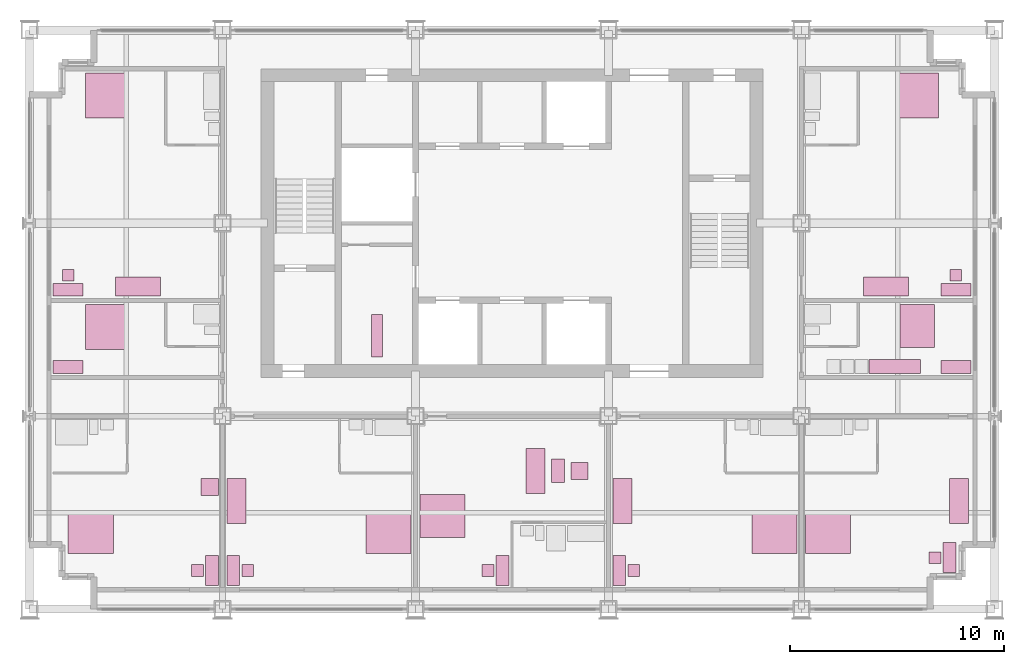
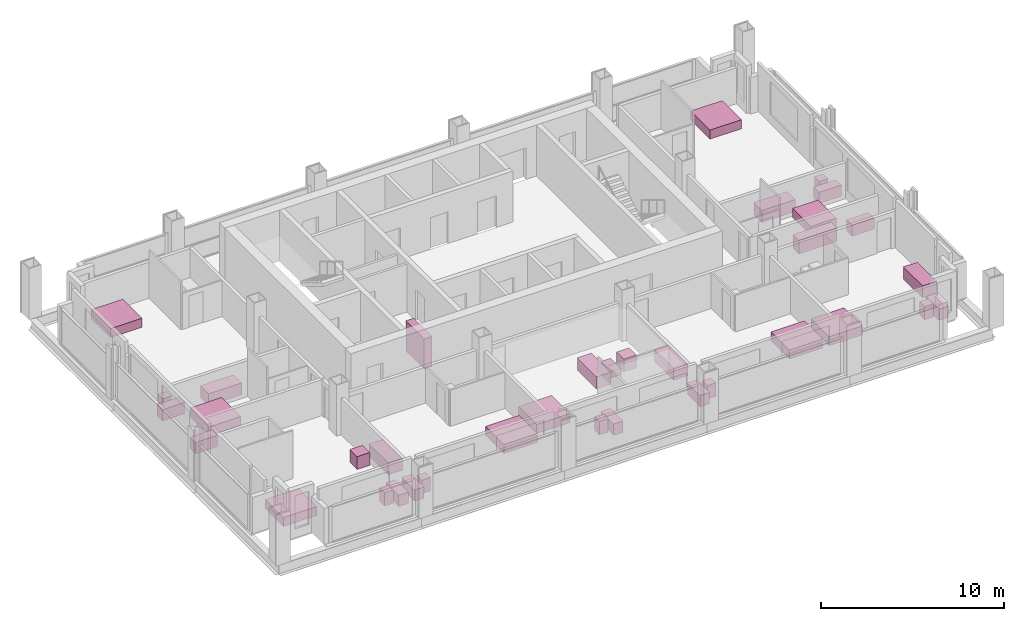
# One storey, part 13 of 13: 36 furniture elements.
"""IFC4 building model written with IfcOpenShell, lengths in metres."""

from ifc_helpers import new_model, si_unit, direction, frame, origin, origin_2d, place, context, subcontext, project, spatial, rectangle, extrude, element, save


model = new_model("IFC4")

# Units and contexts
model_context = context("Model", 3, precision=1e-05, world=origin(), true_north=direction((0.0, 1.0)))
body_context = subcontext(model_context, "Body", "Model", "MODEL_VIEW")
ifc_project = project(units=[si_unit("LENGTHUNIT", "METRE"), si_unit("AREAUNIT", "SQUARE_METRE"), si_unit("VOLUMEUNIT", "CUBIC_METRE"), si_unit("PLANEANGLEUNIT", "RADIAN"), si_unit("MASSUNIT", "GRAM", prefix="KILO")], contexts=[model_context])

# Site, building, storey
site_placement = place(None, origin())
site = spatial("IfcSite", under=ifc_project, at=site_placement, CompositionType="ELEMENT")
building_placement = place(site_placement, origin())
building = spatial("IfcBuilding", under=site, at=building_placement, Name="Loomwork Tower", CompositionType="ELEMENT")
storey_placement = place(building_placement, frame((0.0, 0.0, 180.800048828125)))
storey = spatial("IfcBuildingStorey", under=building, at=storey_placement, Name="L49", CompositionType="ELEMENT", Elevation=180.800048828125)

# Furniture
furniture_1_placement = place(storey_placement, frame((2.85009765625, 3.60009765625, 0.0), z_axis=(0.0, 0.0, 1.0), x_axis=(1.0, 0.0, 0.0)))
element("IfcFurniture", 1, at=furniture_1_placement, inside=storey, Name="King bed L49", PredefinedType="BED", context=body_context, shape_type="SweptSolid", body=[
    extrude(rectangle(XDim=2.10009765625, YDim=2.0, at=origin_2d()), origin(), (0.0, 0.0, 1.0), 0.60009765625),
])
furniture_2_placement = place(storey_placement, frame((8.5, 1.800048828125, 0.0), z_axis=(0.0, 0.0, 1.0), x_axis=(1.0, 0.0, 0.0)))
element("IfcFurniture", 2, at=furniture_2_placement, inside=storey, Name="Writing desk L49", PredefinedType="DESK", context=body_context, shape_type="SweptSolid", body=[
    extrude(rectangle(XDim=0.60009765625, YDim=1.39990234375, at=origin_2d()), origin(), (0.0, 0.0, 1.0), 0.75),
])
furniture_3_placement = place(storey_placement, frame((7.824951171875, 1.800048828125, 0.0), z_axis=(0.0, 0.0, 1.0), x_axis=(1.0, 0.0, 0.0)))
element("IfcFurniture", 3, at=furniture_3_placement, inside=storey, Name="Desk chair L49", PredefinedType="CHAIR", context=body_context, shape_type="SweptSolid", body=[
    extrude(rectangle(XDim=0.550048828125, YDim=0.550048828125, at=origin_2d()), origin(), (0.0, 0.0, 1.0), 0.89990234375),
])
furniture_4_placement = place(storey_placement, frame((8.39990234375, 5.699951171875, 0.0), z_axis=(0.0, 0.0, 1.0), x_axis=(1.0, 0.0, 0.0)))
element("IfcFurniture", 4, at=furniture_4_placement, inside=storey, Name="Lounge armchair L49", PredefinedType="CHAIR", context=body_context, shape_type="SweptSolid", body=[
    extrude(rectangle(XDim=0.800048828125, YDim=0.800048828125, at=origin_2d()), origin(), (0.0, 0.0, 1.0), 0.85009765625),
])
furniture_5_placement = place(storey_placement, frame((16.75, 3.60009765625, 0.0), z_axis=(0.0, 0.0, 1.0), x_axis=(1.0, 0.0, 0.0)))
element("IfcFurniture", 5, at=furniture_5_placement, inside=storey, Name="King bed L49", PredefinedType="BED", context=body_context, shape_type="SweptSolid", body=[
    extrude(rectangle(XDim=2.10009765625, YDim=2.0, at=origin_2d()), origin(), (0.0, 0.0, 1.0), 0.60009765625),
])
furniture_6_placement = place(storey_placement, frame((9.5, 1.800048828125, 0.0), z_axis=(0.0, 0.0, 1.0), x_axis=(1.0, 0.0, 0.0)))
element("IfcFurniture", 6, at=furniture_6_placement, inside=storey, Name="Writing desk L49", PredefinedType="DESK", context=body_context, shape_type="SweptSolid", body=[
    extrude(rectangle(XDim=0.60009765625, YDim=1.39990234375, at=origin_2d()), origin(), (0.0, 0.0, 1.0), 0.75),
])
furniture_7_placement = place(storey_placement, frame((10.175048828125, 1.800048828125, 0.0), z_axis=(0.0, 0.0, 1.0), x_axis=(1.0, 0.0, 0.0)))
element("IfcFurniture", 7, at=furniture_7_placement, inside=storey, Name="Desk chair L49", PredefinedType="CHAIR", context=body_context, shape_type="SweptSolid", body=[
    extrude(rectangle(XDim=0.550048828125, YDim=0.550048828125, at=origin_2d()), origin(), (0.0, 0.0, 1.0), 0.89990234375),
])
furniture_8_placement = place(storey_placement, frame((9.64990234375, 5.050048828125, 0.0), z_axis=(0.0, 0.0, 1.0), x_axis=(1.0, 0.0, 0.0)))
element("IfcFurniture", 8, at=furniture_8_placement, inside=storey, Name="Sofa L49", PredefinedType="SOFA", context=body_context, shape_type="SweptSolid", body=[
    extrude(rectangle(XDim=0.89990234375, YDim=2.10009765625, at=origin_2d()), origin(), (0.0, 0.0, 1.0), 0.800048828125),
])
furniture_9_placement = place(storey_placement, frame((19.25, 4.35009765625, 0.0), z_axis=(0.0, 0.0, 1.0), x_axis=(1.0, 0.0, 0.0)))
element("IfcFurniture", 9, at=furniture_9_placement, inside=storey, Name="King bed L49", PredefinedType="BED", context=body_context, shape_type="SweptSolid", body=[
    extrude(rectangle(XDim=2.10009765625, YDim=2.0, at=origin_2d()), origin(), (0.0, 0.0, 1.0), 0.60009765625),
])
furniture_10_placement = place(storey_placement, frame((22.050048828125, 1.800048828125, 0.0), z_axis=(0.0, 0.0, 1.0), x_axis=(1.0, 0.0, 0.0)))
element("IfcFurniture", 10, at=furniture_10_placement, inside=storey, Name="Writing desk L49", PredefinedType="DESK", context=body_context, shape_type="SweptSolid", body=[
    extrude(rectangle(XDim=0.60009765625, YDim=1.39990234375, at=origin_2d()), origin(), (0.0, 0.0, 1.0), 0.75),
])
furniture_11_placement = place(storey_placement, frame((21.375, 1.800048828125, 0.0), z_axis=(0.0, 0.0, 1.0), x_axis=(1.0, 0.0, 0.0)))
element("IfcFurniture", 11, at=furniture_11_placement, inside=storey, Name="Desk chair L49", PredefinedType="CHAIR", context=body_context, shape_type="SweptSolid", body=[
    extrude(rectangle(XDim=0.550048828125, YDim=0.550048828125, at=origin_2d()), origin(), (0.0, 0.0, 1.0), 0.89990234375),
])
furniture_12_placement = place(storey_placement, frame((23.60009765625, 6.449951171875, 0.0), z_axis=(0.0, 0.0, 1.0), x_axis=(1.0, 0.0, 0.0)))
element("IfcFurniture", 12, at=furniture_12_placement, inside=storey, Name="Sofa L49", PredefinedType="SOFA", context=body_context, shape_type="SweptSolid", body=[
    extrude(rectangle(XDim=0.89990234375, YDim=2.10009765625, at=origin_2d()), origin(), (0.0, 0.0, 1.0), 0.800048828125),
])
furniture_13_placement = place(storey_placement, frame((24.64990234375, 6.449951171875, 0.0), z_axis=(0.0, 0.0, 1.0), x_axis=(1.0, 0.0, 0.0)))
element("IfcFurniture", 13, at=furniture_13_placement, inside=storey, Name="Coffee table L49", PredefinedType="TABLE", context=body_context, shape_type="SweptSolid", body=[
    extrude(rectangle(XDim=0.60009765625, YDim=1.10009765625, at=origin_2d()), origin(), (0.0, 0.0, 1.0), 0.449951171875),
])
furniture_14_placement = place(storey_placement, frame((25.64990234375, 6.449951171875, 0.0), z_axis=(0.0, 0.0, 1.0), x_axis=(1.0, 0.0, 0.0)))
element("IfcFurniture", 14, at=furniture_14_placement, inside=storey, Name="Lounge armchair L49", PredefinedType="CHAIR", context=body_context, shape_type="SweptSolid", body=[
    extrude(rectangle(XDim=0.800048828125, YDim=0.800048828125, at=origin_2d()), origin(), (0.0, 0.0, 1.0), 0.85009765625),
])
furniture_15_placement = place(storey_placement, frame((34.75, 3.60009765625, 0.0), z_axis=(0.0, 0.0, 1.0), x_axis=(1.0, 0.0, 0.0)))
element("IfcFurniture", 15, at=furniture_15_placement, inside=storey, Name="King bed L49", PredefinedType="BED", context=body_context, shape_type="SweptSolid", body=[
    extrude(rectangle(XDim=2.10009765625, YDim=2.0, at=origin_2d()), origin(), (0.0, 0.0, 1.0), 0.60009765625),
])
furniture_16_placement = place(storey_placement, frame((27.5, 1.800048828125, 0.0), z_axis=(0.0, 0.0, 1.0), x_axis=(1.0, 0.0, 0.0)))
element("IfcFurniture", 16, at=furniture_16_placement, inside=storey, Name="Writing desk L49", PredefinedType="DESK", context=body_context, shape_type="SweptSolid", body=[
    extrude(rectangle(XDim=0.60009765625, YDim=1.39990234375, at=origin_2d()), origin(), (0.0, 0.0, 1.0), 0.75),
])
furniture_17_placement = place(storey_placement, frame((28.175048828125, 1.800048828125, 0.0), z_axis=(0.0, 0.0, 1.0), x_axis=(1.0, 0.0, 0.0)))
element("IfcFurniture", 17, at=furniture_17_placement, inside=storey, Name="Desk chair L49", PredefinedType="CHAIR", context=body_context, shape_type="SweptSolid", body=[
    extrude(rectangle(XDim=0.550048828125, YDim=0.550048828125, at=origin_2d()), origin(), (0.0, 0.0, 1.0), 0.89990234375),
])
furniture_18_placement = place(storey_placement, frame((27.64990234375, 5.050048828125, 0.0), z_axis=(0.0, 0.0, 1.0), x_axis=(1.0, 0.0, 0.0)))
element("IfcFurniture", 18, at=furniture_18_placement, inside=storey, Name="Sofa L49", PredefinedType="SOFA", context=body_context, shape_type="SweptSolid", body=[
    extrude(rectangle(XDim=0.89990234375, YDim=2.10009765625, at=origin_2d()), origin(), (0.0, 0.0, 1.0), 0.800048828125),
])
furniture_19_placement = place(storey_placement, frame((37.25, 3.60009765625, 0.0), z_axis=(0.0, 0.0, 1.0), x_axis=(1.0, 0.0, 0.0)))
element("IfcFurniture", 19, at=furniture_19_placement, inside=storey, Name="King bed L49", PredefinedType="BED", context=body_context, shape_type="SweptSolid", body=[
    extrude(rectangle(XDim=2.10009765625, YDim=2.0, at=origin_2d()), origin(), (0.0, 0.0, 1.0), 0.60009765625),
])
furniture_20_placement = place(storey_placement, frame((42.89990234375, 2.39990234375, 0.0), z_axis=(0.0, 0.0, 1.0), x_axis=(1.0, 0.0, 0.0)))
element("IfcFurniture", 20, at=furniture_20_placement, inside=storey, Name="Writing desk L49", PredefinedType="DESK", context=body_context, shape_type="SweptSolid", body=[
    extrude(rectangle(XDim=0.60009765625, YDim=1.39990234375, at=origin_2d()), origin(), (0.0, 0.0, 1.0), 0.75),
])
furniture_21_placement = place(storey_placement, frame((42.22509765625, 2.39990234375, 0.0), z_axis=(0.0, 0.0, 1.0), x_axis=(1.0, 0.0, 0.0)))
element("IfcFurniture", 21, at=furniture_21_placement, inside=storey, Name="Desk chair L49", PredefinedType="CHAIR", context=body_context, shape_type="SweptSolid", body=[
    extrude(rectangle(XDim=0.550048828125, YDim=0.550048828125, at=origin_2d()), origin(), (0.0, 0.0, 1.0), 0.89990234375),
])
furniture_22_placement = place(storey_placement, frame((43.35009765625, 5.050048828125, 0.0), z_axis=(0.0, 0.0, 1.0), x_axis=(1.0, 0.0, 0.0)))
element("IfcFurniture", 22, at=furniture_22_placement, inside=storey, Name="Sofa L49", PredefinedType="SOFA", context=body_context, shape_type="SweptSolid", body=[
    extrude(rectangle(XDim=0.89990234375, YDim=2.10009765625, at=origin_2d()), origin(), (0.0, 0.0, 1.0), 0.800048828125),
])
furniture_23_placement = place(storey_placement, frame((3.60009765625, 13.14990234375, 0.0), z_axis=(0.0, 0.0, 1.0), x_axis=(1.0, 0.0, 0.0)))
element("IfcFurniture", 23, at=furniture_23_placement, inside=storey, Name="King bed L49", PredefinedType="BED", context=body_context, shape_type="SweptSolid", body=[
    extrude(rectangle(XDim=2.0, YDim=2.10009765625, at=origin_2d()), origin(), (0.0, 0.0, 1.0), 0.60009765625),
])
furniture_24_placement = place(storey_placement, frame((1.800048828125, 11.300048828125, 0.0), z_axis=(0.0, 0.0, 1.0), x_axis=(1.0, 0.0, 0.0)))
element("IfcFurniture", 24, at=furniture_24_placement, inside=storey, Name="Writing desk L49", PredefinedType="DESK", context=body_context, shape_type="SweptSolid", body=[
    extrude(rectangle(XDim=1.39990234375, YDim=0.60009765625, at=origin_2d()), origin(), (0.0, 0.0, 1.0), 0.75),
])
furniture_25_placement = place(storey_placement, frame((3.60009765625, 23.949951171875, 0.0), z_axis=(0.0, 0.0, 1.0), x_axis=(1.0, 0.0, 0.0)))
element("IfcFurniture", 25, at=furniture_25_placement, inside=storey, Name="King bed L49", PredefinedType="BED", context=body_context, shape_type="SweptSolid", body=[
    extrude(rectangle(XDim=2.0, YDim=2.10009765625, at=origin_2d()), origin(), (0.0, 0.0, 1.0), 0.60009765625),
])
furniture_26_placement = place(storey_placement, frame((1.800048828125, 14.89990234375, 0.0), z_axis=(0.0, 0.0, 1.0), x_axis=(1.0, 0.0, 0.0)))
element("IfcFurniture", 26, at=furniture_26_placement, inside=storey, Name="Writing desk L49", PredefinedType="DESK", context=body_context, shape_type="SweptSolid", body=[
    extrude(rectangle(XDim=1.39990234375, YDim=0.60009765625, at=origin_2d()), origin(), (0.0, 0.0, 1.0), 0.75),
])
furniture_27_placement = place(storey_placement, frame((1.800048828125, 15.574951171875, 0.0), z_axis=(0.0, 0.0, 1.0), x_axis=(1.0, 0.0, 0.0)))
element("IfcFurniture", 27, at=furniture_27_placement, inside=storey, Name="Desk chair L49", PredefinedType="CHAIR", context=body_context, shape_type="SweptSolid", body=[
    extrude(rectangle(XDim=0.550048828125, YDim=0.550048828125, at=origin_2d()), origin(), (0.0, 0.0, 1.0), 0.89990234375),
])
furniture_28_placement = place(storey_placement, frame((5.050048828125, 15.050048828125, 0.0), z_axis=(0.0, 0.0, 1.0), x_axis=(1.0, 0.0, 0.0)))
element("IfcFurniture", 28, at=furniture_28_placement, inside=storey, Name="Sofa L49", PredefinedType="SOFA", context=body_context, shape_type="SweptSolid", body=[
    extrude(rectangle(XDim=2.10009765625, YDim=0.89990234375, at=origin_2d()), origin(), (0.0, 0.0, 1.0), 0.800048828125),
])
furniture_29_placement = place(storey_placement, frame((41.39990234375, 13.199951171875, 0.0), z_axis=(0.0, 0.0, 1.0), x_axis=(1.0, 0.0, 0.0)))
element("IfcFurniture", 29, at=furniture_29_placement, inside=storey, Name="Queen bed L49", PredefinedType="BED", context=body_context, shape_type="SweptSolid", body=[
    extrude(rectangle(XDim=1.60009765625, YDim=2.0, at=origin_2d()), origin(), (0.0, 0.0, 1.0), 0.60009765625),
])
furniture_30_placement = place(storey_placement, frame((43.199951171875, 11.300048828125, 0.0), z_axis=(0.0, 0.0, 1.0), x_axis=(1.0, 0.0, 0.0)))
element("IfcFurniture", 30, at=furniture_30_placement, inside=storey, Name="Writing desk L49", PredefinedType="DESK", context=body_context, shape_type="SweptSolid", body=[
    extrude(rectangle(XDim=1.39990234375, YDim=0.60009765625, at=origin_2d()), origin(), (0.0, 0.0, 1.0), 0.75),
])
furniture_31_placement = place(storey_placement, frame((40.35009765625, 11.324951171875, 0.0), z_axis=(0.0, 0.0, 1.0), x_axis=(1.0, 0.0, 0.0)))
element("IfcFurniture", 31, at=furniture_31_placement, inside=storey, Name="Kitchenette counter L49", ObjectType="KITCHENETTE", PredefinedType="USERDEFINED", context=body_context, shape_type="SweptSolid", body=[
    extrude(rectangle(XDim=2.39990234375, YDim=0.64990234375, at=origin_2d()), origin(), (0.0, 0.0, 1.0), 0.89990234375),
])
furniture_32_placement = place(storey_placement, frame((41.39990234375, 23.949951171875, 0.0), z_axis=(0.0, 0.0, 1.0), x_axis=(1.0, 0.0, 0.0)))
element("IfcFurniture", 32, at=furniture_32_placement, inside=storey, Name="King bed L49", PredefinedType="BED", context=body_context, shape_type="SweptSolid", body=[
    extrude(rectangle(XDim=2.0, YDim=2.10009765625, at=origin_2d()), origin(), (0.0, 0.0, 1.0), 0.60009765625),
])
furniture_33_placement = place(storey_placement, frame((43.199951171875, 14.89990234375, 0.0), z_axis=(0.0, 0.0, 1.0), x_axis=(1.0, 0.0, 0.0)))
element("IfcFurniture", 33, at=furniture_33_placement, inside=storey, Name="Writing desk L49", PredefinedType="DESK", context=body_context, shape_type="SweptSolid", body=[
    extrude(rectangle(XDim=1.39990234375, YDim=0.60009765625, at=origin_2d()), origin(), (0.0, 0.0, 1.0), 0.75),
])
furniture_34_placement = place(storey_placement, frame((43.199951171875, 15.574951171875, 0.0), z_axis=(0.0, 0.0, 1.0), x_axis=(1.0, 0.0, 0.0)))
element("IfcFurniture", 34, at=furniture_34_placement, inside=storey, Name="Desk chair L49", PredefinedType="CHAIR", context=body_context, shape_type="SweptSolid", body=[
    extrude(rectangle(XDim=0.550048828125, YDim=0.550048828125, at=origin_2d()), origin(), (0.0, 0.0, 1.0), 0.89990234375),
])
furniture_35_placement = place(storey_placement, frame((39.949951171875, 15.050048828125, 0.0), z_axis=(0.0, 0.0, 1.0), x_axis=(1.0, 0.0, 0.0)))
element("IfcFurniture", 35, at=furniture_35_placement, inside=storey, Name="Sofa L49", PredefinedType="SOFA", context=body_context, shape_type="SweptSolid", body=[
    extrude(rectangle(XDim=2.10009765625, YDim=0.89990234375, at=origin_2d()), origin(), (0.0, 0.0, 1.0), 0.800048828125),
])
furniture_36_placement = place(storey_placement, frame((16.199951171875, 12.75, 0.0), z_axis=(0.0, 0.0, 1.0), x_axis=(1.0, 0.0, 0.0)))
element("IfcFurniture", 36, at=furniture_36_placement, inside=storey, Name="Linen shelving L49", PredefinedType="SHELF", context=body_context, shape_type="SweptSolid", body=[
    extrude(rectangle(XDim=0.5, YDim=2.0, at=origin_2d()), origin(), (0.0, 0.0, 1.0), 2.0),
])

save(model, "model.ifc")
